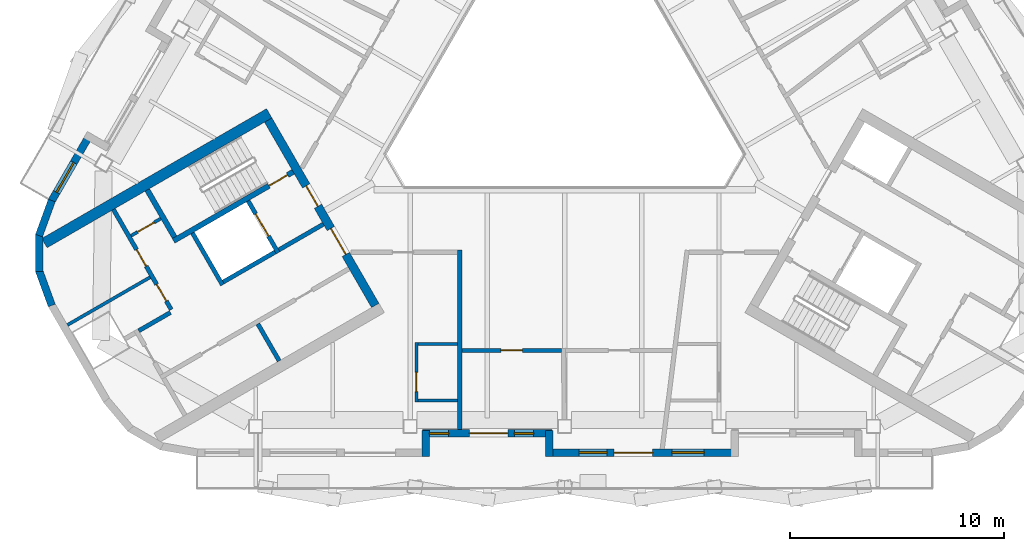
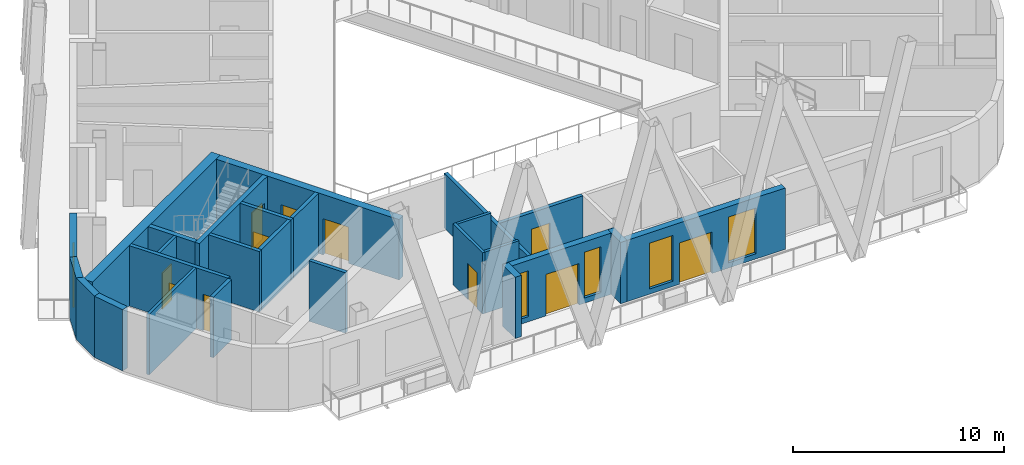
# One storey, part 3 of 13: 26 walls, 11 doors, 5 windows, 16 openings.
"""IFC4 building model written with IfcOpenShell, lengths in metres."""

from ifc_helpers import new_model, si_unit, direction, frame, frame_2d, origin, place, context, subcontext, project, spatial, rectangle, extrude, material, layer, layer_set, type_object, element, fill, save


model = new_model("IFC4")

# Units and contexts
model_context = context("Model", 3, precision=1e-05, world=origin(), true_north=direction((0.0, 1.0)))
body_context = subcontext(model_context, "Body", "Model", "MODEL_VIEW")
ifc_project = project(units=[si_unit("LENGTHUNIT", "METRE"), si_unit("AREAUNIT", "SQUARE_METRE"), si_unit("VOLUMEUNIT", "CUBIC_METRE"), si_unit("PLANEANGLEUNIT", "RADIAN"), si_unit("MASSUNIT", "GRAM", prefix="KILO")], contexts=[model_context])

# Site, building, storey
site_placement = place(None, origin())
site = spatial("IfcSite", under=ifc_project, at=site_placement, CompositionType="ELEMENT")
building_placement = place(site_placement, origin())
building = spatial("IfcBuilding", under=site, at=building_placement, Name="Apuvela Tower Hotel", CompositionType="ELEMENT")
storey_placement = place(building_placement, frame((0.0, 0.0, 280.0)))
storey = spatial("IfcBuildingStorey", under=building, at=storey_placement, Name="L69", CompositionType="ELEMENT", Elevation=280.0)

# Wall, openings, doors
ifc_material_1 = material(Name="Concrete C50/60", Category="concrete")
ifc_layer_1 = layer(ifc_material_1, 0.39990234375)
ifc_layer_set_1 = layer_set([ifc_layer_1], Name="COR-WALL-CORE-400")
wall_type_1 = type_object("IfcWallType", Name="COR-WALL-CORE-400", PredefinedType="SHEAR", material=ifc_layer_set_1)
wall_1_placement = place(storey_placement, frame((-13.844970703125, -2.219970703125, 0.0), z_axis=(0.0, 0.0, 1.0), x_axis=(0.500004234368, -0.866022959057, 0.0)))
wall_1 = element("IfcWall", 1, at=wall_1_placement, inside=storey, type_object=wall_type_1, Name="Core wall SW", PredefinedType="SHEAR", context=body_context, shape_type="SweptSolid", body=[
    extrude(rectangle(XDim=10.0, YDim=0.39990234375, at=frame_2d((5.0, 0.0))), origin(), (0.0, 0.0, 1.0), 3.5),
])
opening_1_placement = place(wall_1_placement, frame((3.550048828125, 0.0, 0.0)))
opening_1 = element("IfcOpeningElement", 2, at=opening_1_placement, cuts=wall_1, Name="Opening W-FD", PredefinedType="OPENING", context=body_context, shape_type="SweptSolid", body=[
    extrude(rectangle(XDim=1.10009765625, YDim=2.10009765625, at=frame_2d((0.550048828125, 1.050048828125))), frame((0.0, 0.2099609375, 0.0), z_axis=(0.0, -1.0, 0.0), x_axis=(1.0, 0.0, 0.0)), (0.0, 0.0, 1.0), 0.419921875),
])
opening_2_placement = place(wall_1_placement, frame((5.85009765625, 0.0, 0.0)))
opening_2 = element("IfcOpeningElement", 3, at=opening_2_placement, cuts=wall_1, Name="Opening W-GD", PredefinedType="OPENING", context=body_context, shape_type="SweptSolid", body=[
    extrude(rectangle(XDim=1.39990234375, YDim=2.10009765625, at=frame_2d((0.699951171875, 1.050048828125))), frame((0.0, 0.2099609375, 0.0), z_axis=(0.0, -1.0, 0.0), x_axis=(1.0, 0.0, 0.0)), (0.0, 0.0, 1.0), 0.419921875),
])
ifc_material_2 = material(Name="Steel fire door, powder coated", Category="steel")
door_type_1 = type_object("IfcDoorType", Name="COR-FD-1100", OperationType="NOTDEFINED", PredefinedType="DOOR", material=ifc_material_2)
door_1_placement = place(opening_1_placement, frame((1.10009765625, 0.0, 0.0), z_axis=(0.0, 0.0, 1.0), x_axis=(-1.0, 0.0, 0.0)))
door_1 = element("IfcDoor", 4, at=door_1_placement, inside=storey, type_object=door_type_1, Name="Firefighting lobby door W-FD", OperationType="SINGLE_SWING_LEFT", OverallHeight=2.10009765625, OverallWidth=1.10009765625, PredefinedType="DOOR", context=body_context, shape_type="SweptSolid", body=[
    extrude(rectangle(XDim=1.10009765625, YDim=2.10009765625, at=frame_2d((0.550048828125, 1.050048828125))), frame((0.0, 0.02490234375, 0.0), z_axis=(0.0, -1.0, 0.0), x_axis=(1.0, 0.0, 0.0)), (0.0, 0.0, 1.0), 0.050048828125),
])
fill(opening_1, door_1)
ifc_material_3 = material(Name="Glazed steel fire door", Category="steel")
door_type_2 = type_object("IfcDoorType", Name="COR-GD-1400", OperationType="DOUBLE_DOOR_SINGLE_SWING", PredefinedType="DOOR", material=ifc_material_3)
door_2_placement = place(opening_2_placement, frame((1.39990234375, 0.0, 0.0), z_axis=(0.0, 0.0, 1.0), x_axis=(-1.0, 0.0, 0.0)))
door_2 = element("IfcDoor", 5, at=door_2_placement, inside=storey, type_object=door_type_2, Name="Lift lobby door W-GD", OperationType="DOUBLE_DOOR_SINGLE_SWING", OverallHeight=2.10009765625, OverallWidth=1.39990234375, PredefinedType="DOOR", context=body_context, shape_type="SweptSolid", body=[
    extrude(rectangle(XDim=1.39990234375, YDim=2.10009765625, at=frame_2d((0.699951171875, 1.050048828125))), frame((0.0, 0.02490234375, 0.0), z_axis=(0.0, -1.0, 0.0), x_axis=(1.0, 0.0, 0.0)), (0.0, 0.0, 1.0), 0.050048828125),
])
fill(opening_2, door_2)

# Wall
ifc_layer_2 = layer(ifc_material_1, 0.5)
ifc_layer_set_2 = layer_set([ifc_layer_2], Name="COR-WALL-CORE-500")
wall_type_2 = type_object("IfcWallType", Name="COR-WALL-CORE-500", PredefinedType="SHEAR", material=ifc_layer_set_2)
wall_2_placement = place(storey_placement, frame((-13.796630859375, -1.9033203125, 0.0), z_axis=(0.0, 0.0, 1.0), x_axis=(-0.866024688907, -0.500001238203, 0.0)))
element("IfcWall", 6, at=wall_2_placement, inside=storey, type_object=wall_type_2, Name="Core wall SW", PredefinedType="SHEAR", context=body_context, shape_type="SweptSolid", body=[
    extrude(rectangle(XDim=12.12890625, YDim=0.5, at=frame_2d((6.064453125, 0.0))), origin(), (0.0, 0.0, 1.0), 3.5),
])

# Wall, opening, door
ifc_material_4 = material(Name="Blockwork 150 mm plastered", Category="masonry")
ifc_layer_3 = layer(ifc_material_4, 0.14990234375)
ifc_layer_set_3 = layer_set([ifc_layer_3], Name="COR-WALL-PART-150")
wall_type_3 = type_object("IfcWallType", Name="COR-WALL-PART-150", PredefinedType="PARTITIONING", material=ifc_layer_set_3)
wall_3_placement = place(storey_placement, frame((-18.866455078125, -6.822265625, 0.0), z_axis=(0.0, 0.0, 1.0), x_axis=(-0.866028054938, -0.499995408039, 0.0)))
wall_3 = element("IfcWall", 7, at=wall_3_placement, inside=storey, type_object=wall_type_3, Name="Partition SW", PredefinedType="PARTITIONING", context=body_context, shape_type="SweptSolid", body=[
    extrude(rectangle(XDim=1.60009765625, YDim=0.14990234375, at=frame_2d((0.800048828125, 0.0))), origin(), (0.0, 0.0, 1.0), 3.5),
])
opening_3_placement = place(wall_3_placement, frame((0.35009765625, 0.0, 0.0)))
opening_3 = element("IfcOpeningElement", 8, at=opening_3_placement, cuts=wall_3, Name="Opening W-RD", PredefinedType="OPENING", context=body_context, shape_type="SweptSolid", body=[
    extrude(rectangle(XDim=0.89990234375, YDim=2.10009765625, at=frame_2d((0.449951171875, 1.050048828125))), frame((0.0, 0.0849609375, 0.0), z_axis=(0.0, -1.0, 0.0), x_axis=(1.0, 0.0, 0.0)), (0.0, 0.0, 1.0), 0.169921875),
])
ifc_material_5 = material(Name="Steel access door, powder coated", Category="steel")
door_type_3 = type_object("IfcDoorType", Name="COR-RD-900", OperationType="NOTDEFINED", PredefinedType="DOOR", material=ifc_material_5)
door_3_placement = place(opening_3_placement, frame((0.89990234375, 0.0, 0.0), z_axis=(0.0, 0.0, 1.0), x_axis=(-1.0, 0.0, 0.0)))
door_3 = element("IfcDoor", 9, at=door_3_placement, inside=storey, type_object=door_type_3, Name="Riser door W-RD", OperationType="SINGLE_SWING_RIGHT", OverallHeight=2.10009765625, OverallWidth=0.89990234375, PredefinedType="DOOR", context=body_context, shape_type="SweptSolid", body=[
    extrude(rectangle(XDim=0.89990234375, YDim=2.10009765625, at=frame_2d((0.449951171875, 1.050048828125))), frame((0.0, 0.02490234375, 0.0), z_axis=(0.0, -1.0, 0.0), x_axis=(1.0, 0.0, 0.0)), (0.0, 0.0, 1.0), 0.050048828125),
])
fill(opening_3, door_3)

# Wall
wall_4_placement = place(storey_placement, frame((-19.36279296875, -9.5625, 0.0), z_axis=(0.0, 0.0, 1.0), x_axis=(-0.866024199568, -0.500002085759, 0.0)))
element("IfcWall", 10, at=wall_4_placement, inside=storey, type_object=wall_type_3, Name="Partition SW", PredefinedType="PARTITIONING", context=body_context, shape_type="SweptSolid", body=[
    extrude(rectangle(XDim=4.458984375, YDim=0.14990234375, at=frame_2d((2.2294921875, 0.0))), origin(), (0.0, 0.0, 1.0), 3.5),
])

# Wall, openings, doors
ifc_material_6 = material(Name="Blockwork 200 mm plastered", Category="masonry")
ifc_layer_4 = layer(ifc_material_6, 0.199951171875)
ifc_layer_set_4 = layer_set([ifc_layer_4], Name="COR-WALL-PART-200")
wall_type_4 = type_object("IfcWallType", Name="COR-WALL-PART-200", PredefinedType="PARTITIONING", material=ifc_layer_set_4)
wall_5_placement = place(storey_placement, frame((-21.076171875, -6.39501953125, 0.0), z_axis=(0.0, 0.0, 1.0), x_axis=(0.50001468107, -0.866016927499, 0.0)))
wall_5 = element("IfcWall", 11, at=wall_5_placement, inside=storey, type_object=wall_type_4, Name="Partition SW", PredefinedType="PARTITIONING", context=body_context, shape_type="SweptSolid", body=[
    extrude(rectangle(XDim=5.399658203125, YDim=0.199951171875, at=frame_2d((2.69970703125, 0.0))), origin(), (0.0, 0.0, 1.0), 3.5),
])
opening_4_placement = place(wall_5_placement, frame((2.16259765625, 0.0, 0.0)))
opening_4 = element("IfcOpeningElement", 12, at=opening_4_placement, cuts=wall_5, Name="Opening W-RS1", PredefinedType="OPENING", context=body_context, shape_type="SweptSolid", body=[
    extrude(rectangle(XDim=0.89990234375, YDim=2.10009765625, at=frame_2d((0.449951171875, 1.050048828125))), frame((0.0, 0.10986328125, 0.0), z_axis=(0.0, -1.0, 0.0), x_axis=(1.0, 0.0, 0.0)), (0.0, 0.0, 1.0), 0.219970703125),
])
opening_5_placement = place(wall_5_placement, frame((4.03759765625, 0.0, 0.0)))
opening_5 = element("IfcOpeningElement", 13, at=opening_5_placement, cuts=wall_5, Name="Opening W-RS2", PredefinedType="OPENING", context=body_context, shape_type="SweptSolid", body=[
    extrude(rectangle(XDim=0.89990234375, YDim=2.10009765625, at=frame_2d((0.449951171875, 1.050048828125))), frame((0.0, 0.10986328125, 0.0), z_axis=(0.0, -1.0, 0.0), x_axis=(1.0, 0.0, 0.0)), (0.0, 0.0, 1.0), 0.219970703125),
])
door_type_4 = type_object("IfcDoorType", Name="COR-DR-900", OperationType="NOTDEFINED", PredefinedType="DOOR", material=ifc_material_2)
door_4_placement = place(opening_4_placement, frame((0.89990234375, 0.0, 0.0), z_axis=(0.0, 0.0, 1.0), x_axis=(-1.0, 0.0, 0.0)))
door_4 = element("IfcDoor", 14, at=door_4_placement, inside=storey, type_object=door_type_4, Name="Store door W-RS1", OperationType="SINGLE_SWING_LEFT", OverallHeight=2.10009765625, OverallWidth=0.89990234375, PredefinedType="DOOR", context=body_context, shape_type="SweptSolid", body=[
    extrude(rectangle(XDim=0.89990234375, YDim=2.10009765625, at=frame_2d((0.449951171875, 1.050048828125))), frame((0.0, 0.02490234375, 0.0), z_axis=(0.0, -1.0, 0.0), x_axis=(1.0, 0.0, 0.0)), (0.0, 0.0, 1.0), 0.050048828125),
])
fill(opening_4, door_4)
door_5_placement = place(opening_5_placement, frame((0.89990234375, 0.0, 0.0), z_axis=(0.0, 0.0, 1.0), x_axis=(-1.0, 0.0, 0.0)))
door_5 = element("IfcDoor", 15, at=door_5_placement, inside=storey, type_object=door_type_4, Name="Store door W-RS2", OperationType="SINGLE_SWING_LEFT", OverallHeight=2.10009765625, OverallWidth=0.89990234375, PredefinedType="DOOR", context=body_context, shape_type="SweptSolid", body=[
    extrude(rectangle(XDim=0.89990234375, YDim=2.10009765625, at=frame_2d((0.449951171875, 1.050048828125))), frame((0.0, 0.02490234375, 0.0), z_axis=(0.0, -1.0, 0.0), x_axis=(1.0, 0.0, 0.0)), (0.0, 0.0, 1.0), 0.050048828125),
])
fill(opening_5, door_5)

# Wall
ifc_layer_5 = layer(ifc_material_1, 0.199951171875)
ifc_layer_set_5 = layer_set([ifc_layer_5], Name="COR-WALL-SHAFT-200")
wall_type_5 = type_object("IfcWallType", Name="COR-WALL-SHAFT-200", PredefinedType="SHEAR", material=ifc_layer_set_5)
wall_6_placement = place(storey_placement, frame((-17.38134765625, -7.49462890625, 0.0), z_axis=(0.0, 0.0, 1.0), x_axis=(0.500011755427, -0.866018616679, 0.0)))
element("IfcWall", 16, at=wall_6_placement, inside=storey, type_object=wall_type_5, Name="Shaft wall SW", PredefinedType="SHEAR", context=body_context, shape_type="SweptSolid", body=[
    extrude(rectangle(XDim=2.80029296875, YDim=0.199951171875, at=frame_2d((1.400146484375, 0.0))), origin(), (0.0, 0.0, 1.0), 3.5),
])

# Wall, opening, door
wall_7_placement = place(storey_placement, frame((-14.783203125, -5.99462890625, 0.0), z_axis=(0.0, 0.0, 1.0), x_axis=(0.49994636267, -0.866056369097, 0.0)))
wall_7 = element("IfcWall", 17, at=wall_7_placement, inside=storey, type_object=wall_type_5, Name="Shaft wall SW", PredefinedType="SHEAR", context=body_context, shape_type="SweptSolid", body=[
    extrude(rectangle(XDim=2.800048828125, YDim=0.199951171875, at=frame_2d((1.39990234375, 0.0))), origin(), (0.0, 0.0, 1.0), 3.5),
])
opening_6_placement = place(wall_7_placement, frame((0.699951171875, 0.0, 0.0)))
opening_6 = element("IfcOpeningElement", 18, at=opening_6_placement, cuts=wall_7, Name="Opening W-LD-FS2", PredefinedType="OPENING", context=body_context, shape_type="SweptSolid", body=[
    extrude(rectangle(XDim=1.199951171875, YDim=2.10009765625, at=frame_2d((0.60009765625, 1.050048828125))), frame((0.0, 0.10986328125, 0.0), z_axis=(0.0, -1.0, 0.0), x_axis=(1.0, 0.0, 0.0)), (0.0, 0.0, 1.0), 0.219970703125),
])
ifc_material_7 = material(Name="Stainless steel lift landing door", Category="steel")
door_type_5 = type_object("IfcDoorType", Name="COR-LD-1200", OperationType="DOUBLE_DOOR_SLIDING", PredefinedType="DOOR", material=ifc_material_7)
door_6_placement = place(opening_6_placement, origin())
door_6 = element("IfcDoor", 19, at=door_6_placement, inside=storey, type_object=door_type_5, Name="Lift landing door W-LD-FS2", OperationType="DOUBLE_DOOR_SLIDING", OverallHeight=2.10009765625, OverallWidth=1.199951171875, PredefinedType="DOOR", context=body_context, shape_type="SweptSolid", body=[
    extrude(rectangle(XDim=1.199951171875, YDim=2.10009765625, at=frame_2d((0.60009765625, 1.050048828125))), frame((0.0, 0.02490234375, 0.0), z_axis=(0.0, -1.0, 0.0), x_axis=(1.0, 0.0, 0.0)), (0.0, 0.0, 1.0), 0.050048828125),
])
fill(opening_6, door_6)

# Walls
wall_8_placement = place(storey_placement, frame((-13.519775390625, -8.383056640625, 0.0), z_axis=(0.0, 0.0, 1.0), x_axis=(-0.866034573852, -0.49998411664, 0.0)))
element("IfcWall", 20, at=wall_8_placement, inside=storey, type_object=wall_type_5, Name="Shaft wall SW", PredefinedType="SHEAR", context=body_context, shape_type="SweptSolid", body=[
    extrude(rectangle(XDim=2.7998046875, YDim=0.199951171875, at=frame_2d((1.39990234375, 0.0))), origin(), (0.0, 0.0, 1.0), 3.5),
])
wall_9_placement = place(storey_placement, frame((-11.26806640625, -7.0830078125, 0.0), z_axis=(0.0, 0.0, 1.0), x_axis=(-0.866050077142, -0.499957262057, 0.0)))
element("IfcWall", 21, at=wall_9_placement, inside=storey, type_object=wall_type_5, Name="Shaft wall SW", PredefinedType="SHEAR", context=body_context, shape_type="SweptSolid", body=[
    extrude(rectangle(XDim=2.400146484375, YDim=0.199951171875, at=frame_2d((1.2001953125, 0.0))), origin(), (0.0, 0.0, 1.0), 3.5),
])
wall_10_placement = place(storey_placement, frame((-18.412841796875, -11.2080078125, 0.0), z_axis=(0.0, 0.0, 1.0), x_axis=(-0.866038183914, -0.499977863513, 0.0)))
element("IfcWall", 22, at=wall_10_placement, inside=storey, type_object=wall_type_5, Name="Shaft wall SW", PredefinedType="SHEAR", context=body_context, shape_type="SweptSolid", body=[
    extrude(rectangle(XDim=1.7099609375, YDim=0.199951171875, at=frame_2d((0.85498046875, 0.0))), origin(), (0.0, 0.0, 1.0), 3.5),
])
wall_11_placement = place(storey_placement, frame((-14.330810546875, -11.738037109375, 0.0), z_axis=(0.0, 0.0, 1.0), x_axis=(0.499972520799, -0.866041268327, 0.0)))
element("IfcWall", 23, at=wall_11_placement, inside=storey, type_object=wall_type_5, Name="Shaft wall SW", PredefinedType="SHEAR", context=body_context, shape_type="SweptSolid", body=[
    extrude(rectangle(XDim=2.0, YDim=0.199951171875, at=frame_2d((1.0, 0.0))), origin(), (0.0, 0.0, 1.0), 3.5),
])

# Wall, opening, door
ifc_layer_6 = layer(ifc_material_1, 0.25)
ifc_layer_set_6 = layer_set([ifc_layer_6], Name="COR-WALL-STAIR-250")
wall_type_6 = type_object("IfcWallType", Name="COR-WALL-STAIR-250", PredefinedType="SHEAR", material=ifc_layer_set_6)
wall_12_placement = place(storey_placement, frame((-12.6806640625, -4.636474609375, 0.0), z_axis=(0.0, 0.0, 1.0), x_axis=(-0.866021702275, -0.500006411147, 0.0)))
wall_12 = element("IfcWall", 24, at=wall_12_placement, inside=storey, type_object=wall_type_6, Name="Stair wall SW", PredefinedType="SHEAR", context=body_context, shape_type="SweptSolid", body=[
    extrude(rectangle(XDim=6.4501953125, YDim=0.25, at=frame_2d((3.22509765625, 0.0))), origin(), (0.0, 0.0, 1.0), 3.5),
])
opening_7_placement = place(wall_12_placement, frame((0.300048828125, 0.0, 0.0)))
opening_7 = element("IfcOpeningElement", 25, at=opening_7_placement, cuts=wall_12, Name="Opening W-SD", PredefinedType="OPENING", context=body_context, shape_type="SweptSolid", body=[
    extrude(rectangle(XDim=1.0, YDim=2.10009765625, at=frame_2d((0.5, 1.050048828125))), frame((0.0, 0.135009765625, 0.0), z_axis=(0.0, -1.0, 0.0), x_axis=(1.0, 0.0, 0.0)), (0.0, 0.0, 1.0), 0.27001953125),
])
door_type_6 = type_object("IfcDoorType", Name="COR-SD-1000", OperationType="NOTDEFINED", PredefinedType="DOOR", material=ifc_material_2)
door_7_placement = place(opening_7_placement, frame((1.0, 0.0, 0.0), z_axis=(0.0, 0.0, 1.0), x_axis=(-1.0, 0.0, 0.0)))
door_7 = element("IfcDoor", 26, at=door_7_placement, inside=storey, type_object=door_type_6, Name="Stair door W-SD", OperationType="SINGLE_SWING_LEFT", OverallHeight=2.10009765625, OverallWidth=1.0, PredefinedType="DOOR", context=body_context, shape_type="SweptSolid", body=[
    extrude(rectangle(XDim=1.0, YDim=2.10009765625, at=frame_2d((0.5, 1.050048828125))), frame((0.0, 0.02490234375, 0.0), z_axis=(0.0, -1.0, 0.0), x_axis=(1.0, 0.0, 0.0)), (0.0, 0.0, 1.0), 0.050048828125),
])
fill(opening_7, door_7)

# Wall
wall_13_placement = place(storey_placement, frame((-19.49560546875, -5.482421875, 0.0), z_axis=(0.0, 0.0, 1.0), x_axis=(0.499990435942, -0.866030925526, 0.0)))
element("IfcWall", 27, at=wall_13_placement, inside=storey, type_object=wall_type_6, Name="Stair wall SW", PredefinedType="SHEAR", context=body_context, shape_type="SweptSolid", body=[
    extrude(rectangle(XDim=2.5498046875, YDim=0.25, at=frame_2d((1.27490234375, 0.0))), origin(), (0.0, 0.0, 1.0), 3.5),
])

# Wall, opening, window
ifc_material_8 = material(Name="Concrete C40/50, dark pigmented precast panel", Category="concrete")
ifc_layer_7 = layer(ifc_material_8, 0.35009765625)
ifc_layer_set_7 = layer_set([ifc_layer_7], Name="ENV-WALL-350")
wall_type_7 = type_object("IfcWallType", Name="ENV-WALL-350", PredefinedType="SOLIDWALL", material=ifc_layer_set_7)
wall_14_placement = place(storey_placement, frame((-22.140380859375, -2.841064453125, 0.0), z_axis=(0.0, 0.0, 1.0), x_axis=(-0.500040506767, -0.866002015928, 0.0)))
wall_14 = element("IfcWall", 28, at=wall_14_placement, inside=storey, type_object=wall_type_7, Name="External wall L69-09", PredefinedType="SOLIDWALL", context=body_context, shape_type="SweptSolid", body=[
    extrude(rectangle(XDim=3.654541015625, YDim=0.35009765625, at=frame_2d((1.8271484375, 0.0))), origin(), (0.0, 0.0, 1.0), 3.550048828125),
])
opening_8_placement = place(wall_14_placement, frame((1.574951171875, 0.0, 0.300048828125)))
opening_8 = element("IfcOpeningElement", 29, at=opening_8_placement, cuts=wall_14, Name="Opening WN16", PredefinedType="OPENING", context=body_context, shape_type="SweptSolid", body=[
    extrude(rectangle(XDim=1.60009765625, YDim=2.64990234375, at=frame_2d((0.800048828125, 1.324951171875))), frame((0.0, 0.18505859375, 0.0), z_axis=(0.0, -1.0, 0.0), x_axis=(1.0, 0.0, 0.0)), (0.0, 0.0, 1.0), 0.3701171875),
])
ifc_material_9 = material(Name="Glass, dark tinted laminated insulated glazing unit", Category="glass")
window_type_1 = type_object("IfcWindowType", Name="ENV-WIN-1600x2650", PartitioningType="SINGLE_PANEL", PredefinedType="WINDOW", material=ifc_material_9)
window_1_placement = place(opening_8_placement, origin())
window_1 = element("IfcWindow", 30, at=window_1_placement, inside=storey, type_object=window_type_1, Name="Window WN16", OverallHeight=2.64990234375, OverallWidth=1.60009765625, PartitioningType="SINGLE_PANEL", PredefinedType="WINDOW", context=body_context, shape_type="SweptSolid", body=[
    extrude(rectangle(XDim=1.60009765625, YDim=2.64990234375, at=frame_2d((0.800048828125, 1.324951171875))), frame((0.0, 0.030029296875, 0.0), z_axis=(0.0, -1.0, 0.0), x_axis=(1.0, 0.0, 0.0)), (0.0, 0.0, 1.0), 0.06005859375),
])
fill(opening_8, window_1)

# Walls
for number, where, z_axis, x_axis, name in (
    (31, (-23.954833984375, -5.978271484375, 0.0), (0.0, 0.0, 1.0), (-0.34201271391, -0.939695324839, 0.0), "External wall L69-10"),
    (32, (-24.541015625, -7.557861328125, 0.0), (0.0, 0.0, 1.0), (0.0, -1.0, 0.0), "External wall L69-11"),
    (33, (-24.551513671875, -9.242431640625, 0.0), (0.0, 0.0, 1.0), (0.34201271391, -0.939695324839, 0.0), "External wall L69-12"),
):
    element("IfcWall", number, at=place(storey_placement, frame(where, z_axis=z_axis, x_axis=x_axis)), inside=storey, type_object=wall_type_7, Name=name, PredefinedType="SOLIDWALL", context=body_context, shape_type="SweptSolid", body=[
        extrude(rectangle(XDim=1.74462890625, YDim=0.35009765625, at=frame_2d((0.872314453125, 0.0))), origin(), (0.0, 0.0, 1.0), 3.550048828125),
    ])
wall_15_placement = place(storey_placement, frame((-6.490234375, -17.9287109375, 0.0), z_axis=(0.0, 0.0, 1.0), x_axis=(0.0, 1.0, 0.0)))
element("IfcWall", 34, at=wall_15_placement, inside=storey, type_object=wall_type_7, Name="External wall L69-18", PredefinedType="SOLIDWALL", context=body_context, shape_type="SweptSolid", body=[
    extrude(rectangle(XDim=1.219970703125, YDim=0.35009765625, at=frame_2d((0.60986328125, 0.0))), origin(), (0.0, 0.0, 1.0), 3.550048828125),
])

# Wall, openings, door, windows
wall_16_placement = place(storey_placement, frame((-6.63525390625, -16.853759765625, 0.0), z_axis=(0.0, 0.0, 1.0), x_axis=(1.0, 0.0, 0.0)))
wall_16 = element("IfcWall", 35, at=wall_16_placement, inside=storey, type_object=wall_type_7, Name="External wall L69-19", PredefinedType="SOLIDWALL", context=body_context, shape_type="SweptSolid", body=[
    extrude(rectangle(XDim=6.05517578125, YDim=0.35009765625, at=frame_2d((3.027587890625, 0.0))), origin(), (0.0, 0.0, 1.0), 3.550048828125),
])
opening_9_placement = place(wall_16_placement, frame((0.3203125, 0.0, 0.300048828125)))
opening_9 = element("IfcOpeningElement", 36, at=opening_9_placement, cuts=wall_16, Name="Opening WN09", PredefinedType="OPENING", context=body_context, shape_type="SweptSolid", body=[
    extrude(rectangle(XDim=0.89990234375, YDim=2.64990234375, at=frame_2d((0.449951171875, 1.324951171875))), frame((0.0, 0.18505859375, 0.0), z_axis=(0.0, -1.0, 0.0), x_axis=(1.0, 0.0, 0.0)), (0.0, 0.0, 1.0), 0.3701171875),
])
opening_10_placement = place(wall_16_placement, frame((2.185546875, 0.0, 0.0)))
opening_10 = element("IfcOpeningElement", 37, at=opening_10_placement, cuts=wall_16, Name="Opening BD18", PredefinedType="OPENING", context=body_context, shape_type="SweptSolid", body=[
    extrude(rectangle(XDim=1.800048828125, YDim=2.39990234375, at=frame_2d((0.89990234375, 1.199951171875))), frame((0.0, 0.18505859375, 0.0), z_axis=(0.0, -1.0, 0.0), x_axis=(1.0, 0.0, 0.0)), (0.0, 0.0, 1.0), 0.3701171875),
])
opening_11_placement = place(wall_16_placement, frame((4.285400390625, 0.0, 0.300048828125)))
opening_11 = element("IfcOpeningElement", 38, at=opening_11_placement, cuts=wall_16, Name="Opening WN09", PredefinedType="OPENING", context=body_context, shape_type="SweptSolid", body=[
    extrude(rectangle(XDim=0.89990234375, YDim=2.64990234375, at=frame_2d((0.449951171875, 1.324951171875))), frame((0.0, 0.18505859375, 0.0), z_axis=(0.0, -1.0, 0.0), x_axis=(1.0, 0.0, 0.0)), (0.0, 0.0, 1.0), 0.3701171875),
])
ifc_material_10 = material(Name="Aluminium 6063-T6, dark bronze anodised frame with dark tinted laminated glass", Category="aluminium")
door_type_7 = type_object("IfcDoorType", Name="ENV-DOOR-BALCONY-1800x2400", OperationType="SLIDING_TO_LEFT", PredefinedType="DOOR", material=ifc_material_10)
door_8_placement = place(opening_10_placement, frame((1.800048828125, 0.0, 0.0), z_axis=(0.0, 0.0, 1.0), x_axis=(-1.0, 0.0, 0.0)))
door_8 = element("IfcDoor", 39, at=door_8_placement, inside=storey, type_object=door_type_7, Name="Balcony door BD18", OperationType="SLIDING_TO_LEFT", OverallHeight=2.39990234375, OverallWidth=1.800048828125, PredefinedType="DOOR", context=body_context, shape_type="SweptSolid", body=[
    extrude(rectangle(XDim=1.800048828125, YDim=2.39990234375, at=frame_2d((0.89990234375, 1.199951171875))), frame((0.0, 0.02490234375, 0.0), z_axis=(0.0, -1.0, 0.0), x_axis=(1.0, 0.0, 0.0)), (0.0, 0.0, 1.0), 0.050048828125),
])
fill(opening_10, door_8)
window_type_2 = type_object("IfcWindowType", Name="ENV-WIN-900x2650", PartitioningType="SINGLE_PANEL", PredefinedType="WINDOW", material=ifc_material_9)
window_2_placement = place(opening_9_placement, origin())
window_2 = element("IfcWindow", 40, at=window_2_placement, inside=storey, type_object=window_type_2, Name="Window WN09", OverallHeight=2.64990234375, OverallWidth=0.89990234375, PartitioningType="SINGLE_PANEL", PredefinedType="WINDOW", context=body_context, shape_type="SweptSolid", body=[
    extrude(rectangle(XDim=0.89990234375, YDim=2.64990234375, at=frame_2d((0.449951171875, 1.324951171875))), frame((0.0, 0.030029296875, 0.0), z_axis=(0.0, -1.0, 0.0), x_axis=(1.0, 0.0, 0.0)), (0.0, 0.0, 1.0), 0.06005859375),
])
fill(opening_9, window_2)
window_3_placement = place(opening_11_placement, origin())
window_3 = element("IfcWindow", 41, at=window_3_placement, inside=storey, type_object=window_type_2, Name="Window WN09", OverallHeight=2.64990234375, OverallWidth=0.89990234375, PartitioningType="SINGLE_PANEL", PredefinedType="WINDOW", context=body_context, shape_type="SweptSolid", body=[
    extrude(rectangle(XDim=0.89990234375, YDim=2.64990234375, at=frame_2d((0.449951171875, 1.324951171875))), frame((0.0, 0.030029296875, 0.0), z_axis=(0.0, -1.0, 0.0), x_axis=(1.0, 0.0, 0.0)), (0.0, 0.0, 1.0), 0.06005859375),
])
fill(opening_11, window_3)

# Wall
wall_17_placement = place(storey_placement, frame((-0.72509765625, -16.708740234375, 0.0), z_axis=(0.0, 0.0, 1.0), x_axis=(0.0, -1.0, 0.0)))
element("IfcWall", 42, at=wall_17_placement, inside=storey, type_object=wall_type_7, Name="External wall L69-20", PredefinedType="SOLIDWALL", context=body_context, shape_type="SweptSolid", body=[
    extrude(rectangle(XDim=1.219970703125, YDim=0.35009765625, at=frame_2d((0.60986328125, 0.0))), origin(), (0.0, 0.0, 1.0), 3.550048828125),
])

# Wall, openings, door, windows
wall_18_placement = place(storey_placement, frame((-0.89990234375, -17.753662109375, 0.0), z_axis=(0.0, 0.0, 1.0), x_axis=(1.0, 0.0, 0.0)))
wall_18 = element("IfcWall", 43, at=wall_18_placement, inside=storey, type_object=wall_type_7, Name="External wall L69-21", PredefinedType="SOLIDWALL", context=body_context, shape_type="SweptSolid", body=[
    extrude(rectangle(XDim=9.015380859375, YDim=0.35009765625, at=frame_2d((4.5078125, 0.0))), origin(), (0.0, 0.0, 1.0), 3.550048828125),
])
opening_12_placement = place(wall_18_placement, frame((3.2109375, 0.0, 0.0)))
opening_12 = element("IfcOpeningElement", 44, at=opening_12_placement, cuts=wall_18, Name="Opening BD18", PredefinedType="OPENING", context=body_context, shape_type="SweptSolid", body=[
    extrude(rectangle(XDim=1.800048828125, YDim=2.39990234375, at=frame_2d((0.89990234375, 1.199951171875))), frame((0.0, 0.18505859375, 0.0), z_axis=(0.0, -1.0, 0.0), x_axis=(1.0, 0.0, 0.0)), (0.0, 0.0, 1.0), 0.3701171875),
])
opening_13_placement = place(wall_18_placement, frame((1.5751953125, 0.0, 0.300048828125)))
opening_13 = element("IfcOpeningElement", 45, at=opening_13_placement, cuts=wall_18, Name="Opening WN13", PredefinedType="OPENING", context=body_context, shape_type="SweptSolid", body=[
    extrude(rectangle(XDim=1.300048828125, YDim=2.64990234375, at=frame_2d((0.64990234375, 1.324951171875))), frame((0.0, 0.18505859375, 0.0), z_axis=(0.0, -1.0, 0.0), x_axis=(1.0, 0.0, 0.0)), (0.0, 0.0, 1.0), 0.3701171875),
])
opening_14_placement = place(wall_18_placement, frame((5.9111328125, 0.0, 0.300048828125)))
opening_14 = element("IfcOpeningElement", 46, at=opening_14_placement, cuts=wall_18, Name="Opening WN15", PredefinedType="OPENING", context=body_context, shape_type="SweptSolid", body=[
    extrude(rectangle(XDim=1.5, YDim=2.64990234375, at=frame_2d((0.75, 1.324951171875))), frame((0.0, 0.18505859375, 0.0), z_axis=(0.0, -1.0, 0.0), x_axis=(1.0, 0.0, 0.0)), (0.0, 0.0, 1.0), 0.3701171875),
])
door_9_placement = place(opening_12_placement, frame((1.800048828125, 0.0, 0.0), z_axis=(0.0, 0.0, 1.0), x_axis=(-1.0, 0.0, 0.0)))
door_9 = element("IfcDoor", 47, at=door_9_placement, inside=storey, type_object=door_type_7, Name="Balcony door BD18", OperationType="SLIDING_TO_LEFT", OverallHeight=2.39990234375, OverallWidth=1.800048828125, PredefinedType="DOOR", context=body_context, shape_type="SweptSolid", body=[
    extrude(rectangle(XDim=1.800048828125, YDim=2.39990234375, at=frame_2d((0.89990234375, 1.199951171875))), frame((0.0, 0.02490234375, 0.0), z_axis=(0.0, -1.0, 0.0), x_axis=(1.0, 0.0, 0.0)), (0.0, 0.0, 1.0), 0.050048828125),
])
fill(opening_12, door_9)
window_type_3 = type_object("IfcWindowType", Name="ENV-WIN-1300x2650", PartitioningType="SINGLE_PANEL", PredefinedType="WINDOW", material=ifc_material_9)
window_4_placement = place(opening_13_placement, origin())
window_4 = element("IfcWindow", 48, at=window_4_placement, inside=storey, type_object=window_type_3, Name="Window WN13", OverallHeight=2.64990234375, OverallWidth=1.300048828125, PartitioningType="SINGLE_PANEL", PredefinedType="WINDOW", context=body_context, shape_type="SweptSolid", body=[
    extrude(rectangle(XDim=1.300048828125, YDim=2.64990234375, at=frame_2d((0.64990234375, 1.324951171875))), frame((0.0, 0.030029296875, 0.0), z_axis=(0.0, -1.0, 0.0), x_axis=(1.0, 0.0, 0.0)), (0.0, 0.0, 1.0), 0.06005859375),
])
fill(opening_13, window_4)
window_type_4 = type_object("IfcWindowType", Name="ENV-WIN-1500x2650", PartitioningType="SINGLE_PANEL", PredefinedType="WINDOW", material=ifc_material_9)
window_5_placement = place(opening_14_placement, origin())
window_5 = element("IfcWindow", 49, at=window_5_placement, inside=storey, type_object=window_type_4, Name="Window WN15", OverallHeight=2.64990234375, OverallWidth=1.5, PartitioningType="SINGLE_PANEL", PredefinedType="WINDOW", context=body_context, shape_type="SweptSolid", body=[
    extrude(rectangle(XDim=1.5, YDim=2.64990234375, at=frame_2d((0.75, 1.324951171875))), frame((0.0, 0.030029296875, 0.0), z_axis=(0.0, -1.0, 0.0), x_axis=(1.0, 0.0, 0.0)), (0.0, 0.0, 1.0), 0.06005859375),
])
fill(opening_14, window_5)

# Wall
ifc_material_11 = material(Name="Gypsum board partition on twin steel stud", Category="steel")
ifc_layer_8 = layer(ifc_material_11, 0.199951171875)
ifc_layer_set_8 = layer_set([ifc_layer_8], Name="GST-PW1")
wall_type_8 = type_object("IfcWallType", Name="GST-PW1", PredefinedType="PARTITIONING", material=ifc_layer_set_8)
wall_19_placement = place(storey_placement, frame((-4.89990234375, -16.6787109375, 0.0), z_axis=(0.0, 0.0, 1.0), x_axis=(0.0, 1.0, 0.0)))
element("IfcWall", 50, at=wall_19_placement, inside=storey, type_object=wall_type_8, Name="L69 partition 01", PredefinedType="PARTITIONING", context=body_context, shape_type="SweptSolid", body=[
    extrude(rectangle(XDim=8.378662109375, YDim=0.199951171875, at=frame_2d((4.189453125, 0.0))), origin(), (0.0, 0.0, 1.0), 3.159912109375),
])

# Wall, opening, door
ifc_material_12 = material(Name="Gypsum board corridor wall on twin steel stud, acoustic", Category="steel")
ifc_layer_9 = layer(ifc_material_12, 0.199951171875)
ifc_layer_set_9 = layer_set([ifc_layer_9], Name="GST-PW2")
wall_type_9 = type_object("IfcWallType", Name="GST-PW2", PredefinedType="PARTITIONING", material=ifc_layer_set_9)
wall_20_placement = place(storey_placement, frame((-0.150634765625, -12.978759765625, 0.0), z_axis=(0.0, 0.0, 1.0), x_axis=(-1.0, 0.0, 0.0)))
wall_20 = element("IfcWall", 51, at=wall_20_placement, inside=storey, type_object=wall_type_9, Name="L69 partition 16", PredefinedType="PARTITIONING", context=body_context, shape_type="SweptSolid", body=[
    extrude(rectangle(XDim=4.6494140625, YDim=0.199951171875, at=frame_2d((2.32470703125, 0.0))), origin(), (0.0, 0.0, 1.0), 3.050048828125),
])
opening_15_placement = place(wall_20_placement, frame((1.82470703125, 0.0, 0.0)))
opening_15 = element("IfcOpeningElement", 52, at=opening_15_placement, cuts=wall_20, Name="Opening GD28-03", PredefinedType="OPENING", context=body_context, shape_type="SweptSolid", body=[
    extrude(rectangle(XDim=1.0, YDim=2.10009765625, at=frame_2d((0.5, 1.050048828125))), frame((0.0, 0.10986328125, 0.0), z_axis=(0.0, -1.0, 0.0), x_axis=(1.0, 0.0, 0.0)), (0.0, 0.0, 1.0), 0.219970703125),
])
ifc_material_13 = material(Name="Timber door leaf in steel frame", Category="steel")
door_type_8 = type_object("IfcDoorType", Name="GST-D1", OperationType="NOTDEFINED", PredefinedType="DOOR", material=ifc_material_13)
door_10_placement = place(opening_15_placement, origin())
door_10 = element("IfcDoor", 53, at=door_10_placement, inside=storey, type_object=door_type_8, Name="Door L69-03", OperationType="SINGLE_SWING_LEFT", OverallHeight=2.10009765625, OverallWidth=1.0, PredefinedType="DOOR", context=body_context, shape_type="SweptSolid", body=[
    extrude(rectangle(XDim=1.0, YDim=2.10009765625, at=frame_2d((0.5, 1.050048828125))), frame((0.0, 0.02490234375, 0.0), z_axis=(0.0, -1.0, 0.0), x_axis=(1.0, 0.0, 0.0)), (0.0, 0.0, 1.0), 0.050048828125),
])
fill(opening_15, door_10)

ifc_material_14 = material(Name="Moisture-resistant gypsum board wet wall on steel stud", Category="steel")
ifc_layer_10 = layer(ifc_material_14, 0.14990234375)
ifc_layer_set_10 = layer_set([ifc_layer_10], Name="GST-PW3")
wall_type_10 = type_object("IfcWallType", Name="GST-PW3", PredefinedType="PARTITIONING", material=ifc_layer_set_10)
wall_21_placement = place(storey_placement, frame((-6.925048828125, -12.60009765625, 0.0), z_axis=(0.0, 0.0, 1.0), x_axis=(0.0, -1.0, 0.0)))
wall_21 = element("IfcWall", 54, at=wall_21_placement, inside=storey, type_object=wall_type_10, Name="L69 partition 13", PredefinedType="PARTITIONING", context=body_context, shape_type="SweptSolid", body=[
    extrude(rectangle(XDim=2.7998046875, YDim=0.14990234375, at=frame_2d((1.39990234375, 0.0))), origin(), (0.0, 0.0, 1.0), 3.550048828125),
])
opening_16_placement = place(wall_21_placement, frame((1.39990234375, 0.0, 0.0)))
opening_16 = element("IfcOpeningElement", 55, at=opening_16_placement, cuts=wall_21, Name="Opening GD28-01", PredefinedType="OPENING", context=body_context, shape_type="SweptSolid", body=[
    extrude(rectangle(XDim=0.89990234375, YDim=2.10009765625, at=frame_2d((0.449951171875, 1.050048828125))), frame((0.0, 0.0849609375, 0.0), z_axis=(0.0, -1.0, 0.0), x_axis=(1.0, 0.0, 0.0)), (0.0, 0.0, 1.0), 0.169921875),
])
door_type_9 = type_object("IfcDoorType", Name="GST-D2", OperationType="NOTDEFINED", PredefinedType="DOOR", material=ifc_material_13)
door_11_placement = place(opening_16_placement, origin())
door_11 = element("IfcDoor", 56, at=door_11_placement, inside=storey, type_object=door_type_9, Name="Door L69-01", OperationType="SINGLE_SWING_RIGHT", OverallHeight=2.10009765625, OverallWidth=0.89990234375, PredefinedType="DOOR", context=body_context, shape_type="SweptSolid", body=[
    extrude(rectangle(XDim=0.89990234375, YDim=2.10009765625, at=frame_2d((0.449951171875, 1.050048828125))), frame((0.0, 0.02490234375, 0.0), z_axis=(0.0, -1.0, 0.0), x_axis=(1.0, 0.0, 0.0)), (0.0, 0.0, 1.0), 0.050048828125),
])
fill(opening_16, door_11)

# Walls
for number, where, z_axis, x_axis, name in (
    (57, (-6.85009765625, -15.324951171875, 0.0), (0.0, 0.0, 1.0), (1.0, 0.0, 0.0), "L69 partition 14"),
    (58, (-6.85009765625, -12.675048828125, 0.0), (0.0, 0.0, 1.0), (1.0, 0.0, 0.0), "L69 partition 15"),
):
    element("IfcWall", number, at=place(storey_placement, frame(where, z_axis=z_axis, x_axis=x_axis)), inside=storey, type_object=wall_type_10, Name=name, PredefinedType="PARTITIONING", context=body_context, shape_type="SweptSolid", body=[
        extrude(rectangle(XDim=1.85009765625, YDim=0.14990234375, at=frame_2d((0.925048828125, 0.0))), origin(), (0.0, 0.0, 1.0), 3.550048828125),
    ])

save(model, "model.ifc")
